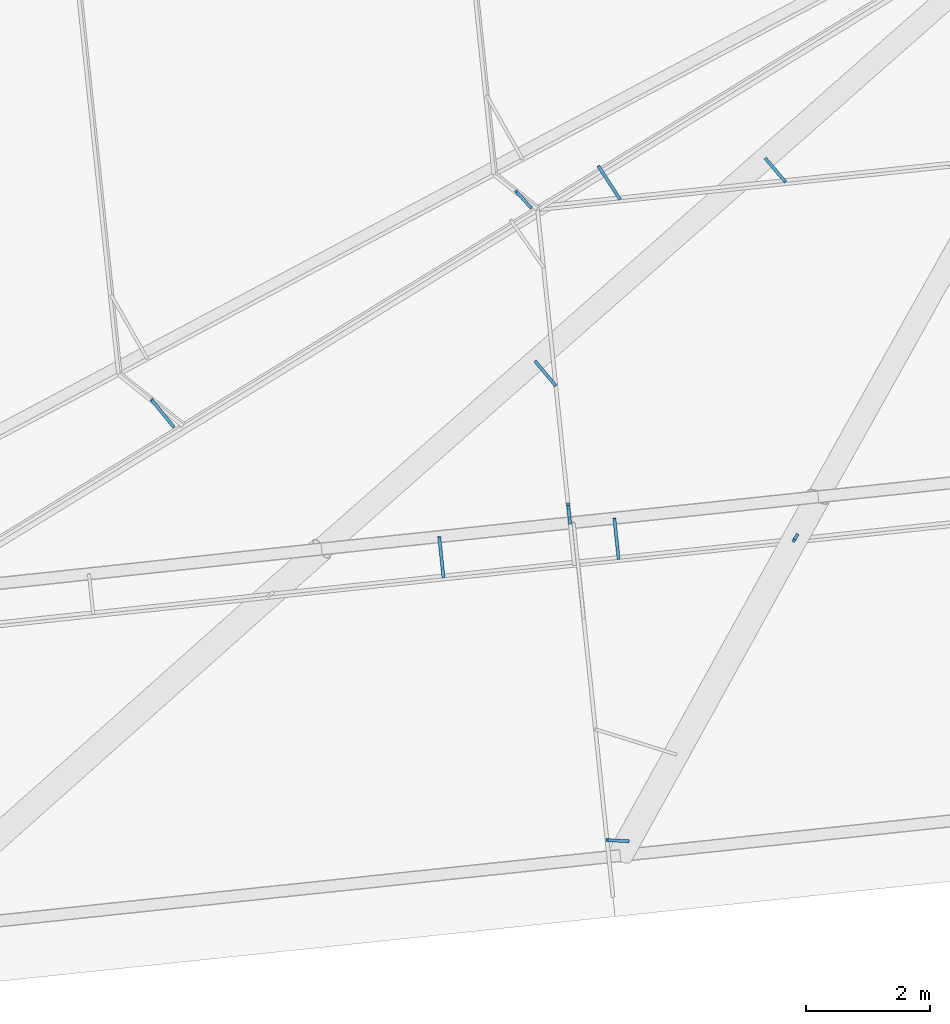
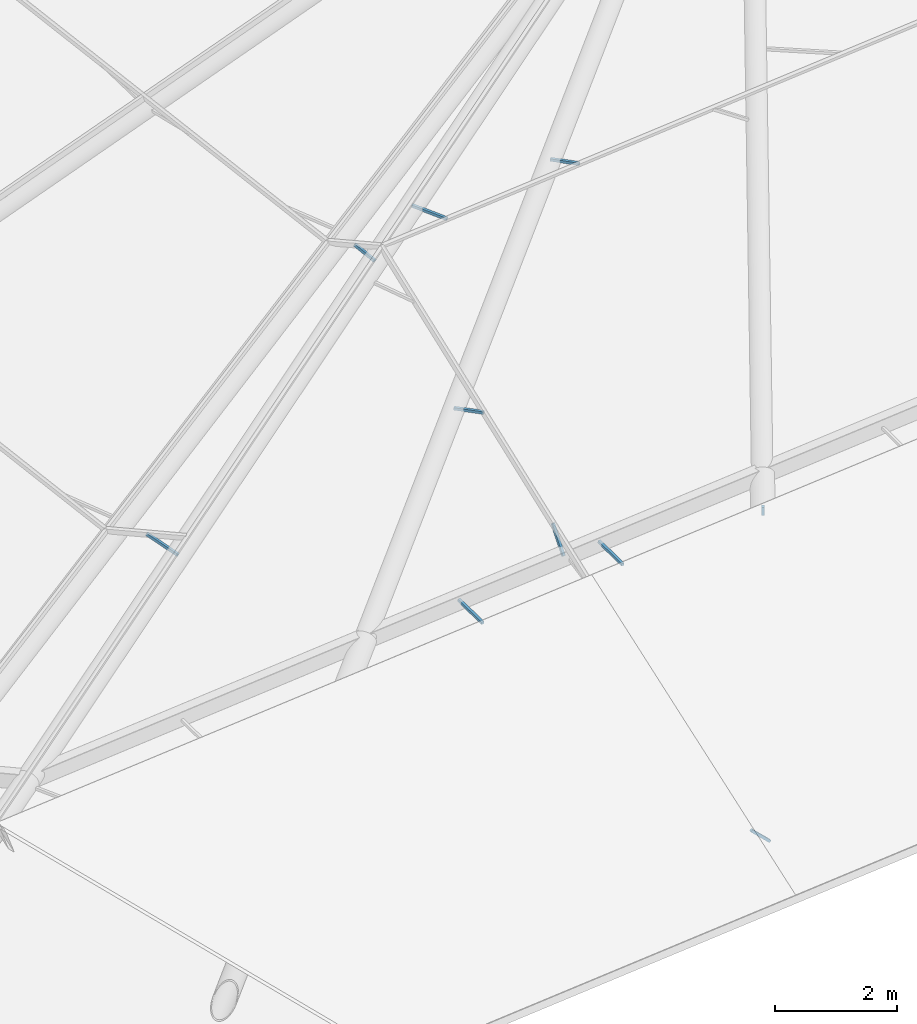
# One storey, part 10 of 20: 10 discrete accessories.
"""IFC4 building model written with IfcOpenShell, lengths in metres."""

from ifc_helpers import new_model, si_unit, direction, frame, origin, origin_2d, place, context, subcontext, project, spatial, rectangle, extrude, material, material_profile, profile_set, type_object, element, save


model = new_model("IFC4")

# Units and contexts
model_context = context("Model", 3, precision=1e-05, world=origin(), true_north=direction((0.0, 1.0)))
body_context = subcontext(model_context, "Body", "Model", "MODEL_VIEW")
ifc_project = project(units=[si_unit("LENGTHUNIT", "METRE"), si_unit("AREAUNIT", "SQUARE_METRE"), si_unit("VOLUMEUNIT", "CUBIC_METRE"), si_unit("PLANEANGLEUNIT", "RADIAN"), si_unit("MASSUNIT", "GRAM", prefix="KILO")], contexts=[model_context])

# Site, building, storey
site_placement = place(None, origin())
site = spatial("IfcSite", under=ifc_project, at=site_placement, CompositionType="ELEMENT")
building_placement = place(site_placement, origin())
building = spatial("IfcBuilding", under=site, at=building_placement, Name="Hakoniwa Tower and Hamabe Station Hall", CompositionType="ELEMENT")
storey_placement = place(building_placement, frame((0.0, 0.0, 285.0)))
storey = spatial("IfcBuildingStorey", under=building, at=storey_placement, Name="Roof", CompositionType="ELEMENT", Elevation=285.0)

# Discrete accessories
ifc_material = material(Name="Stainless steel SUS304", Category="steel")
ifc_material_profile = material_profile(ifc_material, rectangle(XDim=0.050048828125, YDim=0.050048828125, at=origin_2d()), Name="CW-4 GLAZING BRACKET 50X50")
ifc_profile_set = profile_set([ifc_material_profile], Name="Stainless steel SUS304")
discrete_accessory_type = type_object("IfcDiscreteAccessoryType", Name="CW-4 GLAZING BRACKET 50X50", PredefinedType="BRACKET", material=ifc_profile_set)
discrete_accessory_1_placement = place(storey_placement, frame((-11.1484375, -7.373779296875, 4.818359375), z_axis=(-0.639482641983, 0.765145169884, -0.07493209997), x_axis=(-0.767302334263, -0.641285527541, 0.0)))
element("IfcDiscreteAccessory", 1, at=discrete_accessory_1_placement, inside=storey, type_object=discrete_accessory_type, Name="Glazing bracket", PredefinedType="BRACKET", context=body_context, shape_type="SweptSolid", body=[
    extrude(rectangle(XDim=0.050048828125, YDim=0.050048828125, at=origin_2d()), origin(), (0.0, 0.0, 1.0), 0.524658203125),
])
discrete_accessory_2_placement = place(storey_placement, frame((-10.94970703125, -9.291015625, 3.687744140625), z_axis=(0.055273327849, -0.524671435119, -0.849508531092), x_axis=(0.994496617459, 0.104768687415, 0.0)))
element("IfcDiscreteAccessory", 2, at=discrete_accessory_2_placement, inside=storey, type_object=discrete_accessory_type, Name="Glazing bracket", PredefinedType="BRACKET", context=body_context, shape_type="SweptSolid", body=[
    extrude(rectangle(XDim=0.050048828125, YDim=0.050048828125, at=origin_2d()), origin(), (0.0, 0.0, 1.0), 0.57421875),
])
discrete_accessory_3_placement = place(storey_placement, frame((-10.319091796875, -14.726806640625, 0.595458984375), z_axis=(0.726189694752, -0.040401423816, -0.686306237907), x_axis=(0.055548905469, 0.998455967532, 0.0)))
element("IfcDiscreteAccessory", 3, at=discrete_accessory_3_placement, inside=storey, type_object=discrete_accessory_type, Name="Glazing bracket", PredefinedType="BRACKET", context=body_context, shape_type="SweptSolid", body=[
    extrude(rectangle(XDim=0.050048828125, YDim=0.050048828125, at=origin_2d()), origin(), (0.0, 0.0, 1.0), 0.471435546875),
])
discrete_accessory_4_placement = place(storey_placement, frame((-17.6923828125, -7.59765625, 4.8134765625), z_axis=(0.560031481945, -0.688500242226, -0.460795134182), x_axis=(0.775769211171, 0.631016743835, 0.0)))
element("IfcDiscreteAccessory", 4, at=discrete_accessory_4_placement, inside=storey, type_object=discrete_accessory_type, Name="Glazing bracket", PredefinedType="BRACKET", context=body_context, shape_type="SweptSolid", body=[
    extrude(rectangle(XDim=0.050048828125, YDim=0.050048828125, at=origin_2d()), origin(), (0.0, 0.0, 1.0), 0.634765625),
])
discrete_accessory_5_placement = place(storey_placement, frame((-11.791015625, -4.224609375, 6.513427734375), z_axis=(0.542270837184, -0.593836468941, -0.5943909381), x_axis=(0.738440711177, 0.674318408526, 0.0)))
element("IfcDiscreteAccessory", 5, at=discrete_accessory_5_placement, inside=storey, type_object=discrete_accessory_type, Name="Glazing bracket", PredefinedType="BRACKET", context=body_context, shape_type="SweptSolid", body=[
    extrude(rectangle(XDim=0.050048828125, YDim=0.050048828125, at=origin_2d()), origin(), (0.0, 0.0, 1.0), 0.4404296875),
])
discrete_accessory_6_placement = place(storey_placement, frame((-10.107666015625, -4.357421875, 6.5146484375), z_axis=(-0.541522970777, 0.834847913282, 0.098903153691), x_axis=(-0.838961287028, -0.544191105099, 0.0)))
element("IfcDiscreteAccessory", 6, at=discrete_accessory_6_placement, inside=storey, type_object=discrete_accessory_type, Name="Glazing bracket", PredefinedType="BRACKET", context=body_context, shape_type="SweptSolid", body=[
    extrude(rectangle(XDim=0.050048828125, YDim=0.050048828125, at=origin_2d()), origin(), (0.0, 0.0, 1.0), 0.649169921875),
])
discrete_accessory_7_placement = place(storey_placement, frame((-7.43017578125, -4.075927734375, 6.5146484375), z_axis=(-0.643419148561, 0.762945702002, -0.062655048175), x_axis=(-0.764447656396, -0.64468579993, 0.0)))
element("IfcDiscreteAccessory", 7, at=discrete_accessory_7_placement, inside=storey, type_object=discrete_accessory_type, Name="Glazing bracket", PredefinedType="BRACKET", context=body_context, shape_type="SweptSolid", body=[
    extrude(rectangle(XDim=0.050048828125, YDim=0.050048828125, at=origin_2d()), origin(), (0.0, 0.0, 1.0), 0.506591796875),
])
discrete_accessory_8_placement = place(storey_placement, frame((-12.9658203125, -10.4765625, 3.106689453125), z_axis=(-0.103576467532, 0.984885007061, 0.138828809113), x_axis=(-0.994515502578, -0.104589268721, 0.0)))
element("IfcDiscreteAccessory", 8, at=discrete_accessory_8_placement, inside=storey, type_object=discrete_accessory_type, Name="Glazing bracket", PredefinedType="BRACKET", context=body_context, shape_type="SweptSolid", body=[
    extrude(rectangle(XDim=0.050048828125, YDim=0.050048828125, at=origin_2d()), origin(), (0.0, 0.0, 1.0), 0.671875),
])
discrete_accessory_9_placement = place(storey_placement, frame((-10.131103515625, -10.1787109375, 3.106689453125), z_axis=(-0.103539407155, 0.984895904549, 0.138779135204), x_axis=(-0.994519514743, -0.104551110919, 0.0)))
element("IfcDiscreteAccessory", 9, at=discrete_accessory_9_placement, inside=storey, type_object=discrete_accessory_type, Name="Glazing bracket", PredefinedType="BRACKET", context=body_context, shape_type="SweptSolid", body=[
    extrude(rectangle(XDim=0.050048828125, YDim=0.050048828125, at=origin_2d()), origin(), (0.0, 0.0, 1.0), 0.672119140625),
])
discrete_accessory_10_placement = place(storey_placement, frame((-7.296630859375, -9.880859375, 3.106689453125), z_axis=(0.214415237632, 0.358954080857, -0.90839312729), x_axis=(-0.858501274941, 0.512811428231, 0.0)))
element("IfcDiscreteAccessory", 10, at=discrete_accessory_10_placement, inside=storey, type_object=discrete_accessory_type, Name="Glazing bracket", PredefinedType="BRACKET", context=body_context, shape_type="SweptSolid", body=[
    extrude(rectangle(XDim=0.050048828125, YDim=0.050048828125, at=origin_2d()), origin(), (0.0, 0.0, 1.0), 0.255126953125),
])

save(model, "model.ifc")
